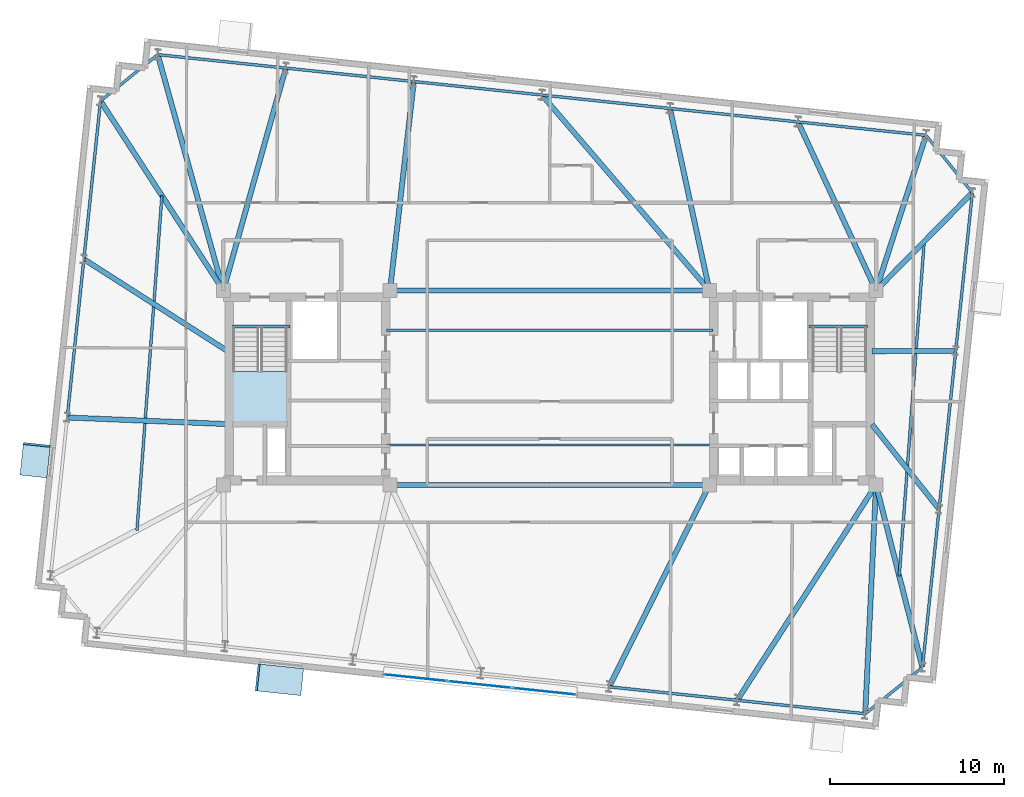
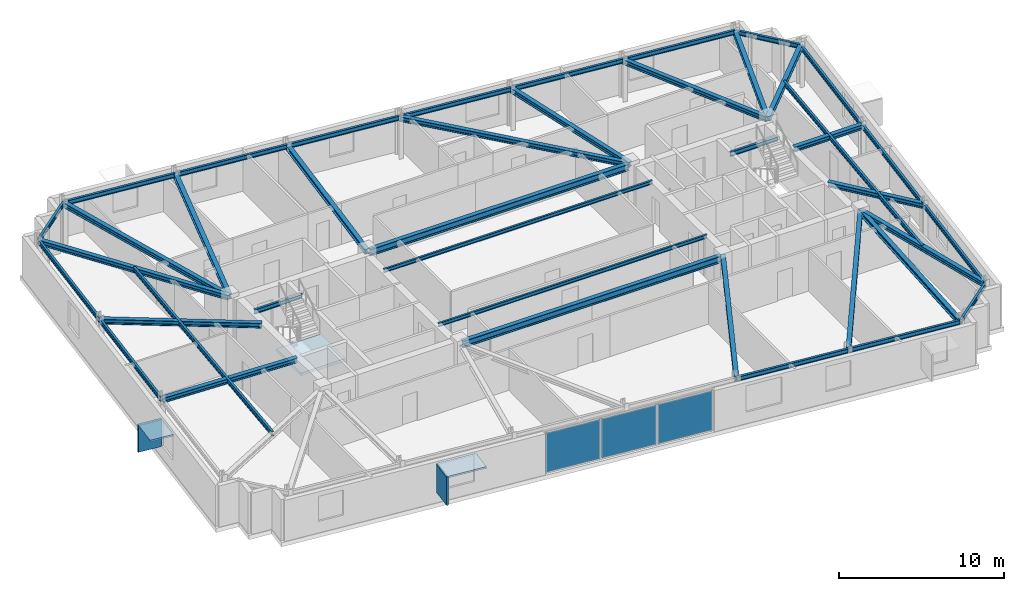
# One storey, part 6 of 12: 41 beams, 7 plates, 1 slab, 2 elements without a shape of their own.
"""IFC4 building model written with IfcOpenShell, lengths in metres."""

import ifcopenshell
import ifcopenshell.guid

model = None  # the IFC model being written
_history = None  # IfcOwnerHistory: only IFC2X3 demands one
_inside = {}  # id of a spatial element -> (the spatial element, [elements in it])
_under = {}  # id of a project, library or spatial element -> (it, [spatial elements below it])
_declared = {}  # id of a project -> (the project, [libraries it declares])
_typed = {}  # id of a type object -> (the type object, [elements of that type])
_made_of = {}  # id of a material, layer set ... -> (it, [elements and type objects made of it])


def new_model(schema):
    """Start an empty IFC model of exactly this schema.

    Asked for "IFC4X3", IfcOpenShell would pick the latest addendum, in which some entities
    have other attributes; the version numbers below select the first issue.
    IFC2X3 requires an IfcOwnerHistory on every rooted entity: one is made here for all.
    """
    global model, _history
    if schema == "IFC4X3":
        model = ifcopenshell.file(schema_version=(4, 3, 0, 0))
    else:
        model = ifcopenshell.file(schema=schema)
    _inside.clear()
    _under.clear()
    _declared.clear()
    _typed.clear()
    _made_of.clear()
    _history = None
    if model.schema == "IFC2X3":
        org = make("IfcOrganization", Name="unknown")
        user = make(
            "IfcPersonAndOrganization",
            ThePerson=make("IfcPerson", FamilyName="unknown"),
            TheOrganization=org,
        )
        app = make(
            "IfcApplication",
            ApplicationDeveloper=org,
            Version="unknown",
            ApplicationFullName="unknown",
            ApplicationIdentifier="unknown",
        )
        _history = make(
            "IfcOwnerHistory",
            OwningUser=user,
            OwningApplication=app,
            ChangeAction="ADDED",
            CreationDate=0,
        )
    return model


def make(cls, **values):
    """One entity of the class cls with the attributes given. An attribute that is None is left unset."""
    return model.create_entity(
        cls, **{name: value for name, value in values.items() if value is not None}
    )


def rooted(cls, **values):
    """An entity with a GlobalId (a new one), such as an element, a storey or a relation."""
    return make(cls, GlobalId=ifcopenshell.guid.new(), OwnerHistory=_history, **values)


def si_unit(unit_type, name, prefix=None):
    """IfcSIUnit, for example si_unit("LENGTHUNIT", "METRE", prefix="MILLI")."""
    return make("IfcSIUnit", UnitType=unit_type, Prefix=prefix, Name=name)


def assignment(units):
    """IfcUnitAssignment: the units of a project."""
    return None if units is None else make("IfcUnitAssignment", Units=units)


def point(xyz):
    """IfcCartesianPoint."""
    return None if xyz is None else make("IfcCartesianPoint", Coordinates=xyz)


def direction(xyz):
    """IfcDirection."""
    return None if xyz is None else make("IfcDirection", DirectionRatios=xyz)


def frame(location, z_axis=None, x_axis=None):
    """IfcAxis2Placement3D, a coordinate frame: its origin and axes. An axis left out is left unset."""
    return make(
        "IfcAxis2Placement3D",
        Location=point(location),
        Axis=direction(z_axis),
        RefDirection=direction(x_axis),
    )


def frame_2d(location, x_axis=None):
    """IfcAxis2Placement2D, a coordinate frame in the plane: its origin and x axis."""
    return make(
        "IfcAxis2Placement2D", Location=point(location), RefDirection=direction(x_axis)
    )


def origin():
    """The frame at (0, 0, 0) with its axes left unset."""
    return frame((0.0, 0.0, 0.0))


def origin_2d():
    """The frame at (0, 0) in the plane with its x axis left unset."""
    return frame_2d((0.0, 0.0))


def place(relative_to, where):
    """IfcLocalPlacement: puts the frame where relative to a parent placement (None: the world)."""
    return make(
        "IfcLocalPlacement", PlacementRelTo=relative_to, RelativePlacement=where
    )


def context(
    kind, dimensions, precision=None, world=None, true_north=None, identifier=None
):
    """IfcGeometricRepresentationContext, for example the 3D "Model" context."""
    return make(
        "IfcGeometricRepresentationContext",
        ContextIdentifier=identifier,
        ContextType=kind,
        CoordinateSpaceDimension=dimensions,
        Precision=precision,
        WorldCoordinateSystem=world,
        TrueNorth=true_north,
    )


def subcontext(parent, identifier, kind, view, scale=None):
    """IfcGeometricRepresentationSubContext, for example "Body" below "Model"."""
    return make(
        "IfcGeometricRepresentationSubContext",
        ContextIdentifier=identifier,
        ContextType=kind,
        ParentContext=parent,
        TargetScale=scale,
        TargetView=view,
    )


def project(units=None, contexts=None):
    """IfcProject with its units and contexts."""
    return rooted(
        "IfcProject",
        Name="project",
        RepresentationContexts=contexts,
        UnitsInContext=assignment(units),
    )


def spatial(cls, under=None, at=None, **own):
    """A site, building, storey or space (cls), placed at a placement, below another one or the project."""
    s = rooted(cls, ObjectPlacement=at, **own)
    if under is not None:
        _under.setdefault(under.id(), (under, []))[1].append(s)
    return s


def polyline(points):
    """IfcPolyline through the points."""
    return make("IfcPolyline", Points=[point(p) for p in points])


def profile(cls, at=None, kind="AREA", **sizes):
    """A parametric profile (cls). Its sizes go by their IFC names, for example OverallWidth=200.0."""
    return make(cls, ProfileType=kind, Position=at, **sizes)


def rectangle(**sizes):
    """IfcRectangleProfileDef."""
    return profile("IfcRectangleProfileDef", **sizes)


def i_section(**sizes):
    """IfcIShapeProfileDef."""
    return profile("IfcIShapeProfileDef", **sizes)


def outline(outer, holes=None, kind="AREA"):
    """IfcArbitraryClosedProfileDef: a profile drawn as a closed curve; with holes, ...WithVoids."""
    if holes is None:
        return make("IfcArbitraryClosedProfileDef", ProfileType=kind, OuterCurve=outer)
    return make(
        "IfcArbitraryProfileDefWithVoids",
        ProfileType=kind,
        OuterCurve=outer,
        InnerCurves=holes,
    )


def extrude(swept, where, along, depth):
    """IfcExtrudedAreaSolid: the profile swept, set in the frame where, extruded along a direction by depth."""
    return make(
        "IfcExtrudedAreaSolid",
        SweptArea=swept,
        Position=where,
        ExtrudedDirection=direction(along),
        Depth=depth,
    )


def shape(context_of_items, identifier, shape_type, items):
    """IfcShapeRepresentation: the items that make up one representation, for example the "Body"."""
    return make(
        "IfcShapeRepresentation",
        ContextOfItems=context_of_items,
        RepresentationIdentifier=identifier,
        RepresentationType=shape_type,
        Items=items,
    )


def material(Name=None, Category=None):
    """IfcMaterial."""
    return make("IfcMaterial", Name=Name, Category=Category)


def layer(
    of_material, thickness, ventilated=None, Name=None, Category=None, Priority=None
):
    """IfcMaterialLayer: one layer of a wall or slab, of a material (None: an air gap)."""
    return make(
        "IfcMaterialLayer",
        Material=of_material,
        LayerThickness=thickness,
        IsVentilated=ventilated,
        Name=Name,
        Category=Category,
        Priority=Priority,
    )


def layer_set(layers, Name=None):
    """IfcMaterialLayerSet."""
    return make("IfcMaterialLayerSet", MaterialLayers=layers, LayerSetName=Name)


def material_profile(
    of_material, cross_section, Name=None, Category=None, Priority=None
):
    """IfcMaterialProfile: a cross section and its material."""
    return make(
        "IfcMaterialProfile",
        Name=Name,
        Material=of_material,
        Profile=cross_section,
        Priority=Priority,
        Category=Category,
    )


def profile_set(profiles, Name=None, composite=None):
    """IfcMaterialProfileSet."""
    return make(
        "IfcMaterialProfileSet",
        Name=Name,
        MaterialProfiles=profiles,
        CompositeProfile=composite,
    )


def made_of(thing, what):
    """Note that an element or type object is made of a material, layer set ...; save() writes the relation."""
    if what is not None:
        _made_of.setdefault(what.id(), (what, []))[1].append(thing)
    return thing


def type_object(cls, material=None, **own):
    """A type object (cls), such as IfcWallType, which elements share."""
    return made_of(rooted(cls, **own), material)


def element(
    cls,
    number,
    at=None,
    inside=None,
    cuts=None,
    type_object=None,
    material=None,
    context=None,
    identifier="Body",
    shape_type=None,
    held_by="IfcProductDefinitionShape",
    body=None,
    shapes=None,
    **own,
):
    """One element of the class cls, such as IfcWall. Its Tag is "e" and its number.

    at: its placement. inside: the storey or other place that contains it. cuts: it is an
    opening in that element (IfcRelVoidsElement). A single representation is given by context,
    identifier, shape_type and body (its items); several are given by shapes. held_by: the class
    of the entity that holds the representations. save() writes the other relations.
    """
    e = rooted(cls, Tag="e%d" % number, ObjectPlacement=at, **own)
    if body is not None:
        shapes = [shape(context, identifier, shape_type, body)]
    if shapes is not None:
        e.Representation = make(held_by, Representations=shapes)
    if inside is not None:
        _inside.setdefault(inside.id(), (inside, []))[1].append(e)
    if cuts is not None:
        rooted(
            "IfcRelVoidsElement", RelatingBuildingElement=cuts, RelatedOpeningElement=e
        )
    if type_object is not None:
        _typed.setdefault(type_object.id(), (type_object, []))[1].append(e)
    return made_of(e, material)


def aggregate(whole, parts):
    """IfcRelAggregates: a whole, such as a stair, and the parts it consists of."""
    return rooted("IfcRelAggregates", RelatingObject=whole, RelatedObjects=parts)


def save(model, path):
    """Write the relations noted so far, then the file.

    IfcRelAggregates (storeys below a building ...), IfcRelContainedInSpatialStructure (elements
    in a storey), IfcRelDefinesByType, IfcRelAssociatesMaterial and IfcRelDeclares: one each for
    every whole, place, type object, material and project.
    """
    for whole, parts in _under.values():
        aggregate(whole, parts)
    for where, things in _inside.values():
        rooted(
            "IfcRelContainedInSpatialStructure",
            RelatedElements=things,
            RelatingStructure=where,
        )
    for kind, things in _typed.values():
        rooted("IfcRelDefinesByType", RelatedObjects=things, RelatingType=kind)
    for what, things in _made_of.values():
        rooted("IfcRelAssociatesMaterial", RelatedObjects=things, RelatingMaterial=what)
    for by, libraries in _declared.values():
        rooted("IfcRelDeclares", RelatingContext=by, RelatedDefinitions=libraries)
    model.write(path)


model = new_model("IFC4")

# Units and contexts
model_context = context("Model", 3, precision=1e-05, world=origin(), true_north=direction((0.0, 1.0)))
body_context = subcontext(model_context, "Body", "Model", "MODEL_VIEW")
ifc_project = project(units=[si_unit("LENGTHUNIT", "METRE"), si_unit("AREAUNIT", "SQUARE_METRE"), si_unit("VOLUMEUNIT", "CUBIC_METRE"), si_unit("PLANEANGLEUNIT", "RADIAN"), si_unit("MASSUNIT", "GRAM", prefix="KILO")], contexts=[model_context])

# Site, building, storey
site_placement = place(None, origin())
site = spatial("IfcSite", under=ifc_project, at=site_placement, CompositionType="ELEMENT")
building_placement = place(site_placement, origin())
building = spatial("IfcBuilding", under=site, at=building_placement, Name="Qobustan Lattice House", CompositionType="ELEMENT")
storey_placement = place(building_placement, frame((0.0, 0.0, 203.10009765625)))
storey = spatial("IfcBuildingStorey", under=building, at=storey_placement, Name="L57", CompositionType="ELEMENT", Elevation=203.10009765625)

# Beams
ifc_material_1 = material(Name="Steel S355", Category="steel")
ifc_material_profile_1 = material_profile(ifc_material_1, i_section(OverallWidth=0.300048828125, OverallDepth=0.5, WebThickness=0.014404296875, FlangeThickness=0.028076171875, FilletRadius=0.027099609375, at=origin_2d()), Name="HEB500")
ifc_profile_set_1 = profile_set([ifc_material_profile_1], Name="Steel S355")
beam_type_1 = type_object("IfcBeamType", Name="BM-CG-HEB500", PredefinedType="USERDEFINED", material=ifc_profile_set_1)
for number, where, z_axis, x_axis, name in (
    (1, (-9.050048828125, -5.60009765625, 2.789794921875), (1.0, 0.0, 0.0), (0.0, 1.0, 0.0), "L57 core spine girder CG-CS"),
    (2, (-9.050048828125, 5.60009765625, 2.789794921875), (1.0, 0.0, 0.0), (0.0, 1.0, 0.0), "L57 core spine girder CG-CN"),
):
    element("IfcBeam", number, at=place(storey_placement, frame(where, z_axis=z_axis, x_axis=x_axis)), inside=storey, type_object=beam_type_1, Name=name, ObjectType="GIRDER", PredefinedType="USERDEFINED", context=body_context, shape_type="SweptSolid", body=[
        extrude(i_section(OverallWidth=0.300048828125, OverallDepth=0.5, WebThickness=0.014404296875, FlangeThickness=0.028076171875, FilletRadius=0.027099609375, at=origin_2d()), origin(), (0.0, 0.0, 1.0), 18.10009765625),
    ])
ifc_material_2 = material(Name="Steel S355", Category="steel")
ifc_material_profile_2 = material_profile(ifc_material_2, i_section(OverallWidth=0.300048828125, OverallDepth=0.360107421875, WebThickness=0.012451171875, FlangeThickness=0.0224609375, FilletRadius=0.027099609375, at=origin_2d()), Name="HEB360")
ifc_profile_set_2 = profile_set([ifc_material_profile_2], Name="Steel S355")
beam_type_2 = type_object("IfcBeamType", Name="BM-FLG-HEB360", PredefinedType="USERDEFINED", material=ifc_profile_set_2)
beam_1_placement = place(storey_placement, frame((3.436279296875, -17.211181640625, 2.85986328125), z_axis=(0.444630337125, 0.895714163843, 0.0), x_axis=(-0.895714163843, 0.444630337125, 0.0)))
element("IfcBeam", 3, at=beam_1_placement, inside=storey, type_object=beam_type_2, Name="L57 primary floor girder RAD-S5", ObjectType="GIRDER", PredefinedType="USERDEFINED", context=body_context, shape_type="SweptSolid", body=[
    extrude(i_section(OverallWidth=0.300048828125, OverallDepth=0.360107421875, WebThickness=0.012451171875, FlangeThickness=0.0224609375, FilletRadius=0.027099609375, at=origin_2d()), origin(), (0.0, 0.0, 1.0), 12.938232421875),
])
beam_2_placement = place(storey_placement, frame((10.814697265625, -17.98779296875, 2.85986328125), z_axis=(0.541810491961, 0.840500678644, 0.0), x_axis=(-0.840500678644, 0.541810491961, 0.0)))
element("IfcBeam", 4, at=beam_2_placement, inside=storey, type_object=beam_type_2, Name="L57 primary floor girder RAD-S6", ObjectType="GIRDER", PredefinedType="USERDEFINED", context=body_context, shape_type="SweptSolid", body=[
    extrude(i_section(OverallWidth=0.300048828125, OverallDepth=0.360107421875, WebThickness=0.012451171875, FlangeThickness=0.0224609375, FilletRadius=0.027099609375, at=origin_2d()), origin(), (0.0, 0.0, 1.0), 14.71337890625),
])
beam_3_placement = place(storey_placement, frame((18.178466796875, -18.759033203125, 2.85986328125), z_axis=(0.047180517312, 0.998886379318, 0.0), x_axis=(-0.998886379318, 0.047180517312, 0.0)))
element("IfcBeam", 5, at=beam_3_placement, inside=storey, type_object=beam_type_2, Name="L57 primary floor girder RAD-S7E", ObjectType="GIRDER", PredefinedType="USERDEFINED", context=body_context, shape_type="SweptSolid", body=[
    extrude(i_section(OverallWidth=0.300048828125, OverallDepth=0.360107421875, WebThickness=0.012451171875, FlangeThickness=0.0224609375, FilletRadius=0.027099609375, at=origin_2d()), origin(), (0.0, 0.0, 1.0), 13.148681640625),
])
beam_4_placement = place(storey_placement, frame((-22.570556640625, 19.159912109375, 2.85986328125), z_axis=(0.267904661715, -0.963445427739, 0.0), x_axis=(0.963445427739, 0.267904661715, 0.0)))
element("IfcBeam", 6, at=beam_4_placement, inside=storey, type_object=beam_type_2, Name="L57 primary floor girder RAD-N7W", ObjectType="GIRDER", PredefinedType="USERDEFINED", context=body_context, shape_type="SweptSolid", body=[
    extrude(i_section(OverallWidth=0.300048828125, OverallDepth=0.360107421875, WebThickness=0.012451171875, FlangeThickness=0.0224609375, FilletRadius=0.027099609375, at=origin_2d()), origin(), (0.0, 0.0, 1.0), 14.049560546875),
])
beam_5_placement = place(storey_placement, frame((-15.2080078125, 18.384521484375, 2.85986328125), z_axis=(-0.270487929903, -0.962723366174, 0.0), x_axis=(0.962723366174, -0.270487929903, 0.0)))
element("IfcBeam", 7, at=beam_5_placement, inside=storey, type_object=beam_type_2, Name="L57 primary floor girder RAD-N6", ObjectType="GIRDER", PredefinedType="USERDEFINED", context=body_context, shape_type="SweptSolid", body=[
    extrude(i_section(OverallWidth=0.300048828125, OverallDepth=0.360107421875, WebThickness=0.012451171875, FlangeThickness=0.0224609375, FilletRadius=0.027099609375, at=origin_2d()), origin(), (0.0, 0.0, 1.0), 13.254638671875),
])
beam_6_placement = place(storey_placement, frame((-7.827880859375, 17.608642578125, 2.85986328125), z_axis=(-0.11353003651, -0.993534564477, 0.0), x_axis=(0.993534564477, -0.11353003651, 0.0)))
element("IfcBeam", 8, at=beam_6_placement, inside=storey, type_object=beam_type_2, Name="L57 primary floor girder RAD-N5", ObjectType="GIRDER", PredefinedType="USERDEFINED", context=body_context, shape_type="SweptSolid", body=[
    extrude(i_section(OverallWidth=0.300048828125, OverallDepth=0.360107421875, WebThickness=0.012451171875, FlangeThickness=0.0224609375, FilletRadius=0.027099609375, at=origin_2d()), origin(), (0.0, 0.0, 1.0), 12.061767578125),
])
beam_7_placement = place(storey_placement, frame((-0.432861328125, 16.839111328125, 2.85986328125), z_axis=(0.650757358368, -0.759285756833, 0.0), x_axis=(0.759285756833, 0.650757358368, 0.0)))
element("IfcBeam", 9, at=beam_7_placement, inside=storey, type_object=beam_type_2, Name="L57 primary floor girder RAD-N4", ObjectType="GIRDER", PredefinedType="USERDEFINED", context=body_context, shape_type="SweptSolid", body=[
    extrude(i_section(OverallWidth=0.300048828125, OverallDepth=0.360107421875, WebThickness=0.012451171875, FlangeThickness=0.0224609375, FilletRadius=0.027099609375, at=origin_2d()), origin(), (0.0, 0.0, 1.0), 14.77734375),
])
beam_8_placement = place(storey_placement, frame((6.93212890625, 16.05859375, 2.85986328125), z_axis=(0.211908420044, -0.977289527988, 0.0), x_axis=(0.977289527988, 0.211908420044, 0.0)))
element("IfcBeam", 10, at=beam_8_placement, inside=storey, type_object=beam_type_2, Name="L57 primary floor girder RAD-N3", ObjectType="GIRDER", PredefinedType="USERDEFINED", context=body_context, shape_type="SweptSolid", body=[
    extrude(i_section(OverallWidth=0.300048828125, OverallDepth=0.360107421875, WebThickness=0.012451171875, FlangeThickness=0.0224609375, FilletRadius=0.027099609375, at=origin_2d()), origin(), (0.0, 0.0, 1.0), 10.676513671875),
])
beam_9_placement = place(storey_placement, frame((14.3134765625, 15.284912109375, 2.85986328125), z_axis=(0.420345924661, -0.907363931188, 0.0), x_axis=(0.907363931188, 0.420345924661, 0.0)))
element("IfcBeam", 11, at=beam_9_placement, inside=storey, type_object=beam_type_2, Name="L57 primary floor girder RAD-N2", ObjectType="GIRDER", PredefinedType="USERDEFINED", context=body_context, shape_type="SweptSolid", body=[
    extrude(i_section(OverallWidth=0.300048828125, OverallDepth=0.360107421875, WebThickness=0.012451171875, FlangeThickness=0.0224609375, FilletRadius=0.027099609375, at=origin_2d()), origin(), (0.0, 0.0, 1.0), 10.6484375),
])
beam_10_placement = place(storey_placement, frame((21.67138671875, 14.5087890625, 2.85986328125), z_axis=(-0.306773532579, -0.951782538035, 0.0), x_axis=(0.951782538035, -0.306773532579, 0.0)))
element("IfcBeam", 12, at=beam_10_placement, inside=storey, type_object=beam_type_2, Name="L57 primary floor girder RAD-N1E", ObjectType="GIRDER", PredefinedType="USERDEFINED", context=body_context, shape_type="SweptSolid", body=[
    extrude(i_section(OverallWidth=0.300048828125, OverallDepth=0.360107421875, WebThickness=0.012451171875, FlangeThickness=0.0224609375, FilletRadius=0.027099609375, at=origin_2d()), origin(), (0.0, 0.0, 1.0), 9.335205078125),
])
beam_11_placement = place(storey_placement, frame((-25.86083984375, 16.492919921875, 2.85986328125), z_axis=(0.543926170046, -0.839133077371, 0.0), x_axis=(0.839133077371, 0.543926170046, 0.0)))
element("IfcBeam", 13, at=beam_11_placement, inside=storey, type_object=beam_type_2, Name="L57 primary floor girder RAD-W1", ObjectType="GIRDER", PredefinedType="USERDEFINED", context=body_context, shape_type="SweptSolid", body=[
    extrude(i_section(OverallWidth=0.300048828125, OverallDepth=0.360107421875, WebThickness=0.012451171875, FlangeThickness=0.0224609375, FilletRadius=0.027099609375, at=origin_2d()), origin(), (0.0, 0.0, 1.0), 12.9560546875),
])
beam_12_placement = place(storey_placement, frame((-26.8115234375, 7.384033203125, 2.85986328125), z_axis=(0.842429105495, -0.538807203195, 0.0), x_axis=(0.538807203195, 0.842429105495, 0.0)))
element("IfcBeam", 14, at=beam_12_placement, inside=storey, type_object=beam_type_2, Name="L57 primary floor girder RAD-W2", ObjectType="GIRDER", PredefinedType="USERDEFINED", context=body_context, shape_type="SweptSolid", body=[
    extrude(i_section(OverallWidth=0.300048828125, OverallDepth=0.360107421875, WebThickness=0.012451171875, FlangeThickness=0.0224609375, FilletRadius=0.027099609375, at=origin_2d()), origin(), (0.0, 0.0, 1.0), 9.78173828125),
])
beam_13_placement = place(storey_placement, frame((-27.765869140625, -1.719970703125, 2.85986328125), z_axis=(0.999150190925, -0.041217665795, 0.0), x_axis=(0.041217665795, 0.999150190925, 0.0)))
element("IfcBeam", 15, at=beam_13_placement, inside=storey, type_object=beam_type_2, Name="L57 primary floor girder RAD-W3", ObjectType="GIRDER", PredefinedType="USERDEFINED", context=body_context, shape_type="SweptSolid", body=[
    extrude(i_section(OverallWidth=0.300048828125, OverallDepth=0.360107421875, WebThickness=0.012451171875, FlangeThickness=0.0224609375, FilletRadius=0.027099609375, at=origin_2d()), origin(), (0.0, 0.0, 1.0), 9.19873046875),
])
beam_14_placement = place(storey_placement, frame((24.331298828125, 11.217529296875, 2.85986328125), z_axis=(-0.701633616284, -0.712537906712, 0.0), x_axis=(0.712537906712, -0.701633616284, 0.0)))
element("IfcBeam", 16, at=beam_14_placement, inside=storey, type_object=beam_type_2, Name="L57 primary floor girder RAD-E4", ObjectType="GIRDER", PredefinedType="USERDEFINED", context=body_context, shape_type="SweptSolid", body=[
    extrude(i_section(OverallWidth=0.300048828125, OverallDepth=0.360107421875, WebThickness=0.012451171875, FlangeThickness=0.0224609375, FilletRadius=0.027099609375, at=origin_2d()), origin(), (0.0, 0.0, 1.0), 7.858642578125),
])
beam_15_placement = place(storey_placement, frame((23.36572265625, 2.118896484375, 2.85986328125), z_axis=(-0.999992301331, -0.003923936564, 0.0), x_axis=(0.003923936564, -0.999992301331, 0.0)))
element("IfcBeam", 17, at=beam_15_placement, inside=storey, type_object=beam_type_2, Name="L57 primary floor girder RAD-E3", ObjectType="GIRDER", PredefinedType="USERDEFINED", context=body_context, shape_type="SweptSolid", body=[
    extrude(i_section(OverallWidth=0.300048828125, OverallDepth=0.360107421875, WebThickness=0.012451171875, FlangeThickness=0.0224609375, FilletRadius=0.027099609375, at=origin_2d()), origin(), (0.0, 0.0, 1.0), 4.790771484375),
])
beam_16_placement = place(storey_placement, frame((22.4169921875, -6.97802734375, 2.85986328125), z_axis=(-0.621231320857, 0.783627236629, 0.0), x_axis=(-0.783627236629, -0.621231320857, 0.0)))
element("IfcBeam", 18, at=beam_16_placement, inside=storey, type_object=beam_type_2, Name="L57 primary floor girder RAD-E2", ObjectType="GIRDER", PredefinedType="USERDEFINED", context=body_context, shape_type="SweptSolid", body=[
    extrude(i_section(OverallWidth=0.300048828125, OverallDepth=0.360107421875, WebThickness=0.012451171875, FlangeThickness=0.0224609375, FilletRadius=0.027099609375, at=origin_2d()), origin(), (0.0, 0.0, 1.0), 6.199951171875),
])
beam_17_placement = place(storey_placement, frame((21.46826171875, -16.08984375, 2.85986328125), z_axis=(-0.246517911643, 0.969138235361, 0.0), x_axis=(-0.969138235361, -0.246517911643, 0.0)))
element("IfcBeam", 19, at=beam_17_placement, inside=storey, type_object=beam_type_2, Name="L57 primary floor girder RAD-E1", ObjectType="GIRDER", PredefinedType="USERDEFINED", context=body_context, shape_type="SweptSolid", body=[
    extrude(i_section(OverallWidth=0.300048828125, OverallDepth=0.360107421875, WebThickness=0.012451171875, FlangeThickness=0.0224609375, FilletRadius=0.027099609375, at=origin_2d()), origin(), (0.0, 0.0, 1.0), 10.798828125),
])
ifc_material_3 = material(Name="Steel S355", Category="steel")
ifc_material_profile_3 = material_profile(ifc_material_3, i_section(OverallWidth=0.135009765625, OverallDepth=0.27001953125, WebThickness=0.006591796875, FlangeThickness=0.01025390625, FilletRadius=0.014892578125, at=origin_2d()), Name="IPE270")
ifc_profile_set_3 = profile_set([ifc_material_profile_3], Name="Steel S355")
beam_type_3 = type_object("IfcBeamType", Name="BM-JST-IPE270", PredefinedType="JOIST", material=ifc_profile_set_3)
for number, where, z_axis, x_axis, name in (
    (20, (-9.39990234375, -3.300048828125, 2.90478515625), (1.0, 0.0, 0.0), (0.0, 1.0, 0.0), "L57 central span floor joist 1"),
    (21, (-9.39990234375, 3.300048828125, 2.90478515625), (1.0, 0.0, 0.0), (0.0, 1.0, 0.0), "L57 central span floor joist 2"),
):
    element("IfcBeam", number, at=place(storey_placement, frame(where, z_axis=z_axis, x_axis=x_axis)), inside=storey, type_object=beam_type_3, Name=name, PredefinedType="JOIST", context=body_context, shape_type="SweptSolid", body=[
        extrude(i_section(OverallWidth=0.135009765625, OverallDepth=0.27001953125, WebThickness=0.006591796875, FlangeThickness=0.01025390625, FilletRadius=0.014892578125, at=origin_2d()), origin(), (0.0, 0.0, 1.0), 18.7998046875),
    ])
ifc_material_4 = material(Name="Steel S355", Category="steel")
ifc_material_profile_4 = material_profile(ifc_material_4, i_section(OverallWidth=0.159912109375, OverallDepth=0.330078125, WebThickness=0.007568359375, FlangeThickness=0.011474609375, FilletRadius=0.01806640625, at=origin_2d()), Name="IPE330")
ifc_profile_set_4 = profile_set([ifc_material_profile_4], Name="Steel S355")
beam_type_4 = type_object("IfcBeamType", Name="BM-SEC-IPE330", PredefinedType="BEAM", material=ifc_profile_set_4)
beam_18_placement = place(storey_placement, frame((-22.337158203125, 11.056884765625, 2.875), z_axis=(-0.074361616657, -0.997231342251, 0.0), x_axis=(0.997231342251, -0.074361616657, 0.0)))
element("IfcBeam", 22, at=beam_18_placement, inside=storey, type_object=beam_type_4, Name="L57 west wing secondary beam", PredefinedType="BEAM", context=body_context, shape_type="SweptSolid", body=[
    extrude(i_section(OverallWidth=0.159912109375, OverallDepth=0.330078125, WebThickness=0.007568359375, FlangeThickness=0.011474609375, FilletRadius=0.01806640625, at=origin_2d()), origin(), (0.0, 0.0, 1.0), 19.327880859375),
])
beam_19_placement = place(storey_placement, frame((21.574462890625, 8.417724609375, 2.875), z_axis=(-0.074360679971, -0.997231412098, 0.0), x_axis=(0.997231412098, -0.074360679971, 0.0)))
element("IfcBeam", 23, at=beam_19_placement, inside=storey, type_object=beam_type_4, Name="L57 east wing secondary beam", PredefinedType="BEAM", context=body_context, shape_type="SweptSolid", body=[
    extrude(i_section(OverallWidth=0.159912109375, OverallDepth=0.330078125, WebThickness=0.007568359375, FlangeThickness=0.011474609375, FilletRadius=0.01806640625, at=origin_2d()), origin(), (0.0, 0.0, 1.0), 19.328125),
])
ifc_material_5 = material(Name="Steel S355", Category="steel")
ifc_material_profile_5 = material_profile(ifc_material_5, i_section(OverallWidth=0.159912109375, OverallDepth=0.330078125, WebThickness=0.007568359375, FlangeThickness=0.011474609375, FilletRadius=0.01806640625, at=origin_2d()), Name="IPE330")
ifc_profile_set_5 = profile_set([ifc_material_profile_5], Name="Steel S355")
beam_type_5 = type_object("IfcBeamType", Name="BM-SPD-IPE330", PredefinedType="SPANDREL", material=ifc_profile_set_5)
for number, where, z_axis, x_axis, name in (
    (24, (-18.300048828125, 3.52001953125, 2.875), (1.0, 0.0, 0.0), (0.0, 1.0, 0.0), "L57 west stair landing trimmer beam"),
    (25, (14.949951171875, 3.52001953125, 2.875), (1.0, 0.0, 0.0), (0.0, 1.0, 0.0), "L57 east stair landing trimmer beam"),
):
    element("IfcBeam", number, at=place(storey_placement, frame(where, z_axis=z_axis, x_axis=x_axis)), inside=storey, type_object=beam_type_5, Name=name, PredefinedType="SPANDREL", context=body_context, shape_type="SweptSolid", body=[
        extrude(i_section(OverallWidth=0.159912109375, OverallDepth=0.330078125, WebThickness=0.007568359375, FlangeThickness=0.011474609375, FilletRadius=0.01806640625, at=origin_2d()), origin(), (0.0, 0.0, 1.0), 3.35009765625),
    ])
for number, where, z_axis, x_axis, name in (
    (26, (3.4501953125, -17.236083984375, 2.875), (0.994521784746, -0.104529515765, 0.0), (0.104529515765, 0.994521784746, 0.0), "L57 perimeter spandrel S5-S6"),
    (27, (10.826171875, -18.01123046875, 2.875), (0.99451833889, -0.104562295361, 0.0), (0.104562295361, 0.99451833889, 0.0), "L57 perimeter spandrel S6-S7"),
):
    element("IfcBeam", number, at=place(storey_placement, frame(where, z_axis=z_axis, x_axis=x_axis)), inside=storey, type_object=beam_type_5, Name=name, PredefinedType="SPANDREL", context=body_context, shape_type="SweptSolid", body=[
        extrude(i_section(OverallWidth=0.159912109375, OverallDepth=0.330078125, WebThickness=0.007568359375, FlangeThickness=0.011474609375, FilletRadius=0.01806640625, at=origin_2d()), origin(), (0.0, 0.0, 1.0), 7.366455078125),
    ])
beam_20_placement = place(storey_placement, frame((18.19677734375, -18.768310546875, 2.875), z_axis=(0.777128239225, 0.629342275554, 0.0), x_axis=(-0.629342275554, 0.777128239225, 0.0)))
element("IfcBeam", 28, at=beam_20_placement, inside=storey, type_object=beam_type_5, Name="L57 perimeter spandrel S7-E1", PredefinedType="SPANDREL", context=body_context, shape_type="SweptSolid", body=[
    extrude(i_section(OverallWidth=0.159912109375, OverallDepth=0.330078125, WebThickness=0.007568359375, FlangeThickness=0.011474609375, FilletRadius=0.01806640625, at=origin_2d()), origin(), (0.0, 0.0, 1.0), 4.192626953125),
])
for number, where, z_axis, x_axis, name in (
    (29, (21.47705078125, -16.089111328125, 2.875), (0.10452168293, 0.994522607987, 0.0), (-0.994522607987, 0.10452168293, 0.0), "L57 perimeter spandrel E1-E2"),
    (30, (22.435302734375, -6.97265625, 2.875), (0.10452168293, 0.994522607987, 0.0), (-0.994522607987, 0.10452168293, 0.0), "L57 perimeter spandrel E2-E3"),
    (31, (23.393310546875, 2.143798828125, 2.875), (0.10452168293, 0.994522607987, 0.0), (-0.994522607987, 0.10452168293, 0.0), "L57 perimeter spandrel E3-E4"),
):
    element("IfcBeam", number, at=place(storey_placement, frame(where, z_axis=z_axis, x_axis=x_axis)), inside=storey, type_object=beam_type_5, Name=name, PredefinedType="SPANDREL", context=body_context, shape_type="SweptSolid", body=[
        extrude(i_section(OverallWidth=0.159912109375, OverallDepth=0.330078125, WebThickness=0.007568359375, FlangeThickness=0.011474609375, FilletRadius=0.01806640625, at=origin_2d()), origin(), (0.0, 0.0, 1.0), 9.11669921875),
    ])
beam_21_placement = place(storey_placement, frame((24.333251953125, 11.254638671875, 2.875), z_axis=(-0.629313797654, 0.777151300637, 0.0), x_axis=(-0.777151300637, -0.629313797654, 0.0)))
element("IfcBeam", 32, at=beam_21_placement, inside=storey, type_object=beam_type_5, Name="L57 perimeter spandrel E4-N1", PredefinedType="SPANDREL", context=body_context, shape_type="SweptSolid", body=[
    extrude(i_section(OverallWidth=0.159912109375, OverallDepth=0.330078125, WebThickness=0.007568359375, FlangeThickness=0.011474609375, FilletRadius=0.01806640625, at=origin_2d()), origin(), (0.0, 0.0, 1.0), 4.19287109375),
])
for number, where, z_axis, x_axis, name in (
    (33, (21.654052734375, 14.53515625, 2.875), (-0.994521784746, 0.104529515765, 0.0), (-0.104529515765, -0.994521784746, 0.0), "L57 perimeter spandrel N1-N2"),
    (34, (14.278076171875, 15.310302734375, 2.875), (-0.994521784746, 0.104529515765, 0.0), (-0.104529515765, -0.994521784746, 0.0), "L57 perimeter spandrel N2-N3"),
):
    element("IfcBeam", number, at=place(storey_placement, frame(where, z_axis=z_axis, x_axis=x_axis)), inside=storey, type_object=beam_type_5, Name=name, PredefinedType="SPANDREL", context=body_context, shape_type="SweptSolid", body=[
        extrude(i_section(OverallWidth=0.159912109375, OverallDepth=0.330078125, WebThickness=0.007568359375, FlangeThickness=0.011474609375, FilletRadius=0.01806640625, at=origin_2d()), origin(), (0.0, 0.0, 1.0), 7.366455078125),
    ])
beam_22_placement = place(storey_placement, frame((6.902099609375, 16.085693359375, 2.875), z_axis=(-0.99452214685, 0.104526070551, 0.0), x_axis=(-0.104526070551, -0.99452214685, 0.0)))
element("IfcBeam", 35, at=beam_22_placement, inside=storey, type_object=beam_type_5, Name="L57 perimeter spandrel N3-N4", PredefinedType="SPANDREL", context=body_context, shape_type="SweptSolid", body=[
    extrude(i_section(OverallWidth=0.159912109375, OverallDepth=0.330078125, WebThickness=0.007568359375, FlangeThickness=0.011474609375, FilletRadius=0.01806640625, at=origin_2d()), origin(), (0.0, 0.0, 1.0), 7.36669921875),
])
for number, where, z_axis, x_axis, name in (
    (36, (-0.47412109375, 16.86083984375, 2.875), (-0.994521784746, 0.104529515765, 0.0), (-0.104529515765, -0.994521784746, 0.0), "L57 perimeter spandrel N4-N5"),
    (37, (-7.85009765625, 17.635986328125, 2.875), (-0.994521784746, 0.104529515765, 0.0), (-0.104529515765, -0.994521784746, 0.0), "L57 perimeter spandrel N5-N6"),
):
    element("IfcBeam", number, at=place(storey_placement, frame(where, z_axis=z_axis, x_axis=x_axis)), inside=storey, type_object=beam_type_5, Name=name, PredefinedType="SPANDREL", context=body_context, shape_type="SweptSolid", body=[
        extrude(i_section(OverallWidth=0.159912109375, OverallDepth=0.330078125, WebThickness=0.007568359375, FlangeThickness=0.011474609375, FilletRadius=0.01806640625, at=origin_2d()), origin(), (0.0, 0.0, 1.0), 7.366455078125),
    ])
beam_23_placement = place(storey_placement, frame((-15.22607421875, 18.411376953125, 2.875), z_axis=(-0.99452214685, 0.104526070551, 0.0), x_axis=(-0.104526070551, -0.99452214685, 0.0)))
element("IfcBeam", 38, at=beam_23_placement, inside=storey, type_object=beam_type_5, Name="L57 perimeter spandrel N6-N7", PredefinedType="SPANDREL", context=body_context, shape_type="SweptSolid", body=[
    extrude(i_section(OverallWidth=0.159912109375, OverallDepth=0.330078125, WebThickness=0.007568359375, FlangeThickness=0.011474609375, FilletRadius=0.01806640625, at=origin_2d()), origin(), (0.0, 0.0, 1.0), 7.36669921875),
])
beam_24_placement = place(storey_placement, frame((-22.5966796875, 19.168212890625, 2.875), z_axis=(-0.777156718239, -0.629307107299, 0.0), x_axis=(0.629307107299, -0.777156718239, 0.0)))
element("IfcBeam", 39, at=beam_24_placement, inside=storey, type_object=beam_type_5, Name="L57 perimeter spandrel N7-W1", PredefinedType="SPANDREL", context=body_context, shape_type="SweptSolid", body=[
    extrude(i_section(OverallWidth=0.159912109375, OverallDepth=0.330078125, WebThickness=0.007568359375, FlangeThickness=0.011474609375, FilletRadius=0.01806640625, at=origin_2d()), origin(), (0.0, 0.0, 1.0), 4.192626953125),
])
beam_25_placement = place(storey_placement, frame((-25.876953125, 16.489013671875, 2.875), z_axis=(-0.104550954592, -0.994519531178, 0.0), x_axis=(0.994519531178, -0.104550954592, 0.0)))
element("IfcBeam", 40, at=beam_25_placement, inside=storey, type_object=beam_type_5, Name="L57 perimeter spandrel W1-W2", PredefinedType="SPANDREL", context=body_context, shape_type="SweptSolid", body=[
    extrude(i_section(OverallWidth=0.159912109375, OverallDepth=0.330078125, WebThickness=0.007568359375, FlangeThickness=0.011474609375, FilletRadius=0.01806640625, at=origin_2d()), origin(), (0.0, 0.0, 1.0), 9.116455078125),
])
beam_26_placement = place(storey_placement, frame((-26.835205078125, 7.372802734375, 2.875), z_axis=(-0.104518899262, -0.994522900539, 0.0), x_axis=(0.994522900539, -0.104518899262, 0.0)))
element("IfcBeam", 41, at=beam_26_placement, inside=storey, type_object=beam_type_5, Name="L57 perimeter spandrel W2-W3", PredefinedType="SPANDREL", context=body_context, shape_type="SweptSolid", body=[
    extrude(i_section(OverallWidth=0.159912109375, OverallDepth=0.330078125, WebThickness=0.007568359375, FlangeThickness=0.011474609375, FilletRadius=0.01806640625, at=origin_2d()), origin(), (0.0, 0.0, 1.0), 9.116943359375),
])

# Curtain wall, plates
ifc_material_6 = material(Name="Anodised aluminium and low-E glazing", Category="aluminium")
ifc_layer_1 = layer(ifc_material_6, 0.219970703125)
ifc_layer_set_1 = layer_set([ifc_layer_1], Name="Anodised aluminium and low-E glazing")
curtain_wall_type = type_object("IfcCurtainWallType", Name="CW-IWN-01", PredefinedType="USERDEFINED", material=ifc_layer_set_1)
curtain_wall_placement = place(storey_placement, origin())
curtain_wall = element("IfcCurtainWall", 42, at=curtain_wall_placement, inside=storey, type_object=curtain_wall_type, Name="L57 IWAN-4 walnut-lined iwan curtain wall", ObjectType="CURTAIN WALL", PredefinedType="USERDEFINED")
ifc_material_7 = material(Name="Clear low-E laminated glass", Category="glass")
ifc_layer_2 = layer(ifc_material_7, 0.031982421875)
ifc_layer_set_2 = layer_set([ifc_layer_2], Name="Clear low-E laminated glass")
plate_type_1 = type_object("IfcPlateType", Name="CWP-VISION-32", PredefinedType="CURTAIN_PANEL", material=ifc_layer_set_2)
plate_1_placement = place(storey_placement, frame((-0.325927734375, -17.492919921875, 0.06494140625), z_axis=(0.0, 0.0, 1.0), x_axis=(-0.994521097429, 0.104536054872, 0.0)))
plate_1 = element("IfcPlate", 43, at=plate_1_placement, type_object=plate_type_1, Name="CW-IW panel 1.1", PredefinedType="CURTAIN_PANEL", context=body_context, shape_type="SweptSolid", body=[
    extrude(rectangle(XDim=3.61328125, YDim=0.031982421875, at=origin_2d()), origin(), (0.0, 0.0, 1.0), 2.909912109375),
])
plate_2_placement = place(storey_placement, frame((-4.018798828125, -17.104736328125, 0.06494140625), z_axis=(0.0, 0.0, 1.0), x_axis=(-0.994521097429, 0.104536054872, 0.0)))
plate_2 = element("IfcPlate", 44, at=plate_2_placement, type_object=plate_type_1, Name="CW-IW panel 2.1", PredefinedType="CURTAIN_PANEL", context=body_context, shape_type="SweptSolid", body=[
    extrude(rectangle(XDim=3.6533203125, YDim=0.031982421875, at=origin_2d()), origin(), (0.0, 0.0, 1.0), 2.909912109375),
])
plate_3_placement = place(storey_placement, frame((-7.711669921875, -16.716552734375, 0.06494140625), z_axis=(0.0, 0.0, 1.0), x_axis=(-0.994521097429, 0.104536054872, 0.0)))
plate_3 = element("IfcPlate", 45, at=plate_3_placement, type_object=plate_type_1, Name="CW-IW panel 3.1", PredefinedType="CURTAIN_PANEL", context=body_context, shape_type="SweptSolid", body=[
    extrude(rectangle(XDim=3.61328125, YDim=0.031982421875, at=origin_2d()), origin(), (0.0, 0.0, 1.0), 2.909912109375),
])
aggregate(curtain_wall, [plate_1, plate_2, plate_3])

# Plates
ifc_material_8 = material(Name="Qobustan limestone GFRC", Category="masonry")
ifc_layer_3 = layer(ifc_material_8, 0.1201171875)
ifc_layer_set_3 = layer_set([ifc_layer_3], Name="Qobustan limestone GFRC")
plate_type_2 = type_object("IfcPlateType", Name="SHD-HOOD-BROW", PredefinedType="USERDEFINED", material=ifc_layer_set_3)
plate_4_placement = place(storey_placement, frame((-29.6376953125, -4.176025390625, 2.699951171875), z_axis=(0.0, 0.0, 1.0), x_axis=(0.104528463268, 0.994521895368, 0.0)))
element("IfcPlate", 46, at=plate_4_placement, inside=storey, type_object=plate_type_2, Name="L57 splayed Qobustan stone hood brow", ObjectType="SUNSHADE", PredefinedType="USERDEFINED", context=body_context, shape_type="SweptSolid", body=[
    extrude(rectangle(XDim=1.889892578125, YDim=1.56005859375, at=origin_2d()), origin(), (0.0, 0.0, 1.0), 0.1201171875),
])
plate_5_placement = place(storey_placement, frame((-29.545166015625, -3.2958984375, 0.7900390625), z_axis=(0.0, 0.0, 1.0), x_axis=(0.104528463268, 0.994521895368, 0.0)))
element("IfcPlate", 47, at=plate_5_placement, inside=storey, type_object=plate_type_2, Name="L57 splayed Qobustan stone hood cheek", ObjectType="SUNSHADE", PredefinedType="USERDEFINED", context=body_context, shape_type="SweptSolid", body=[
    extrude(rectangle(XDim=0.1201171875, YDim=1.56005859375, at=origin_2d()), origin(), (0.0, 0.0, 1.0), 1.969970703125),
])
plate_6_placement = place(storey_placement, frame((-15.569580078125, -16.82568359375, 2.7998046875), z_axis=(0.0, 0.0, 1.0), x_axis=(-0.994521895368, 0.104528463268, 0.0)))
element("IfcPlate", 48, at=plate_6_placement, inside=storey, type_object=plate_type_2, Name="L57 splayed Qobustan stone hood brow", ObjectType="SUNSHADE", PredefinedType="USERDEFINED", context=body_context, shape_type="SweptSolid", body=[
    extrude(rectangle(XDim=2.639892578125, YDim=1.56005859375, at=origin_2d()), origin(), (0.0, 0.0, 1.0), 0.1201171875),
])
plate_7_placement = place(storey_placement, frame((-16.82275390625, -16.694091796875, 0.7900390625), z_axis=(0.0, 0.0, 1.0), x_axis=(-0.994521895368, 0.104528463268, 0.0)))
element("IfcPlate", 49, at=plate_7_placement, inside=storey, type_object=plate_type_2, Name="L57 splayed Qobustan stone hood cheek", ObjectType="SUNSHADE", PredefinedType="USERDEFINED", context=body_context, shape_type="SweptSolid", body=[
    extrude(rectangle(XDim=0.1201171875, YDim=1.56005859375, at=origin_2d()), origin(), (0.0, 0.0, 1.0), 2.070068359375),
])

# Stair, slab
ifc_material_9 = material(Name="Concrete C40/50", Category="concrete")
stair_type = type_object("IfcStairType", Name="STR-CORE-DOGLEG", PredefinedType="HALF_TURN_STAIR", material=ifc_material_9)
stair_placement = place(storey_placement, origin())
stair = element("IfcStair", 50, at=stair_placement, inside=storey, type_object=stair_type, Name="L57 West protected exit stair ST-W1", PredefinedType="HALF_TURN_STAIR")
ifc_material_10 = material(Name="Concrete C40/50", Category="concrete")
ifc_layer_4 = layer(ifc_material_10, 0.199951171875)
ifc_layer_set_4 = layer_set([ifc_layer_4], Name="Concrete C40/50")
slab_type = type_object("IfcSlabType", Name="SLB-LANDING-200", PredefinedType="LANDING", material=ifc_layer_set_4)
slab_placement = place(storey_placement, frame((0.0, 0.0, 1.474853515625)))
slab = element("IfcSlab", 51, at=slab_placement, type_object=slab_type, Name="ST-W1 landing 1", PredefinedType="LANDING", context=body_context, shape_type="SweptSolid", body=[
    extrude(outline(polyline([(-18.25, 0.93505859375), (-18.25, -2.050048828125), (-15.1298828125, -2.050048828125), (-15.1298828125, 0.93505859375), (-18.25, 0.93505859375)])), origin(), (0.0, 0.0, 1.0), 0.199951171875),
])
aggregate(stair, [slab])

save(model, "model.ifc")
